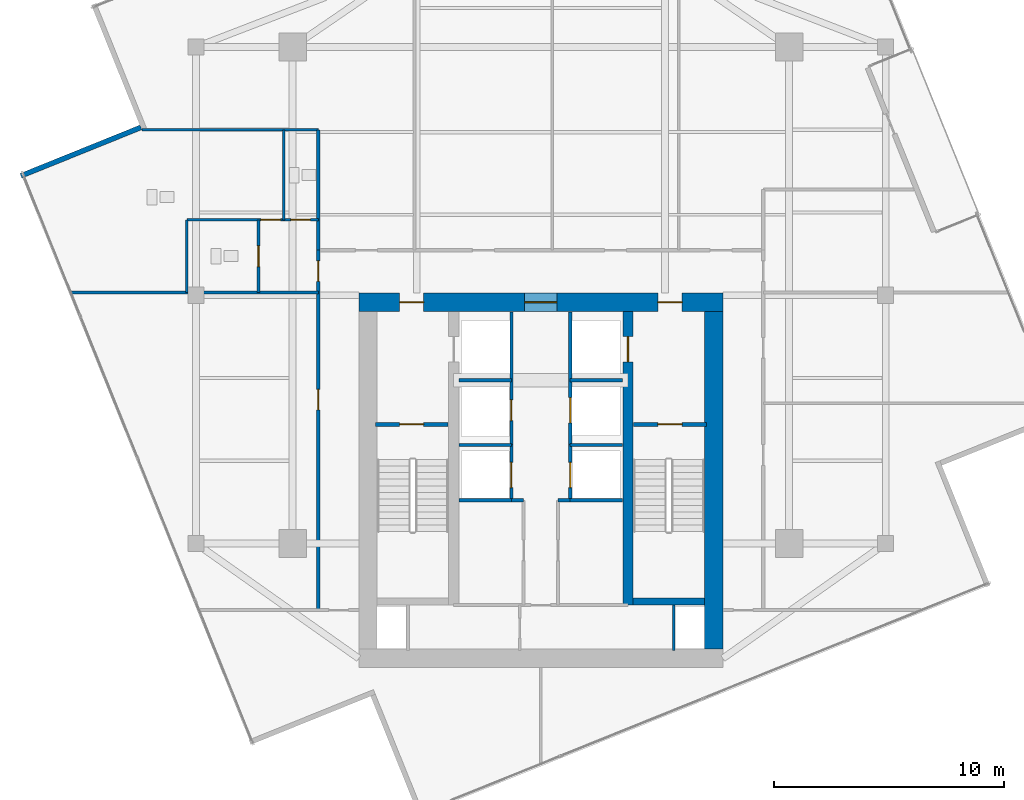
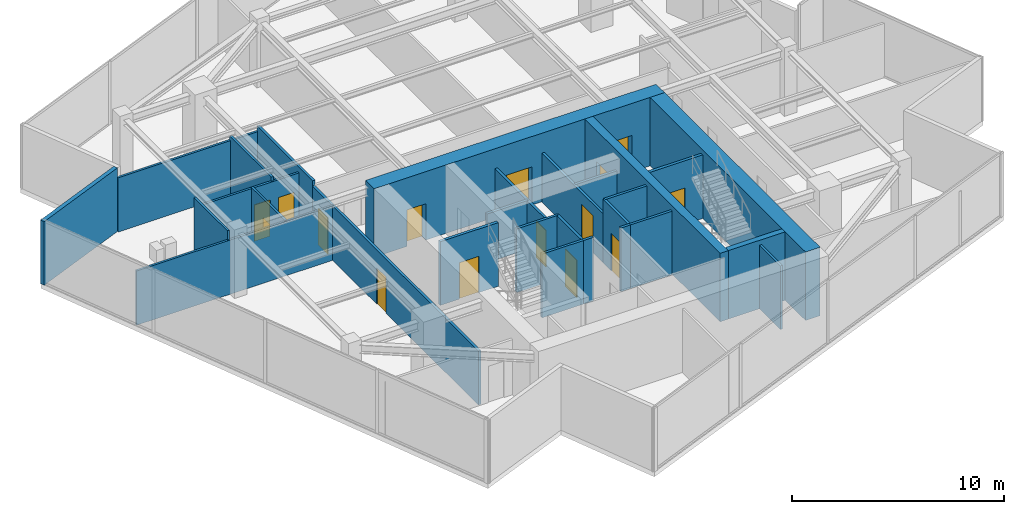
# One storey, part 18 of 21: 28 walls, 15 doors, 15 openings.
"""IFC4 building model written with IfcOpenShell, lengths in metres."""

from ifc_helpers import new_model, si_unit, direction, frame, frame_2d, origin, place, context, subcontext, project, spatial, rectangle, extrude, material, layer, layer_set, type_object, element, fill, save


model = new_model("IFC4")

# Units and contexts
model_context = context("Model", 3, precision=1e-05, world=origin(), true_north=direction((0.0, 1.0)))
body_context = subcontext(model_context, "Body", "Model", "MODEL_VIEW")
ifc_project = project(units=[si_unit("LENGTHUNIT", "METRE"), si_unit("AREAUNIT", "SQUARE_METRE"), si_unit("VOLUMEUNIT", "CUBIC_METRE"), si_unit("PLANEANGLEUNIT", "RADIAN"), si_unit("MASSUNIT", "GRAM", prefix="KILO")], contexts=[model_context])

# Site, building, storey
site_placement = place(None, origin())
site = spatial("IfcSite", under=ifc_project, at=site_placement, CompositionType="ELEMENT")
building_placement = place(site_placement, origin())
building = spatial("IfcBuilding", under=site, at=building_placement, Name="Krantzveldt Concourse Tower", CompositionType="ELEMENT")
storey_placement = place(building_placement, frame((0.0, 0.0, 323.75)))
storey = spatial("IfcBuildingStorey", under=building, at=storey_placement, Name="L79", CompositionType="ELEMENT", Elevation=323.75)

# Walls
ifc_material_1 = material(Name="Anodised aluminium 6063-T6", Category="aluminium")
ifc_layer_1 = layer(ifc_material_1, 0.219970703125, Name="Anodised aluminium 6063-T6", Category="aluminium")
ifc_layer_set_1 = layer_set([ifc_layer_1], Name="Anodised aluminium 6063-T6 (WL-EXT-NOTCH220)")
wall_type_1 = type_object("IfcWallType", Name="WL-EXT-NOTCH220", PredefinedType="ELEMENTEDWALL", material=ifc_layer_set_1)
wall_1_placement = place(storey_placement, frame((18.59716796875, 34.00244140625, 0.0), z_axis=(0.0, 0.0, 1.0), x_axis=(-0.927180963658, -0.374613748588, 0.0)))
element("IfcWall", 1, at=wall_1_placement, inside=storey, type_object=wall_type_1, Name="EW-L79-NCH03", PredefinedType="ELEMENTEDWALL", context=body_context, shape_type="SweptSolid", body=[
    extrude(rectangle(XDim=5.625, YDim=0.219970703125, at=frame_2d((2.8125, 0.0))), origin(), (0.0, 0.0, 1.0), 3.669921875),
])
ifc_material_2 = material(Name="Fire-rated gypsum plasterboard on steel stud", Category="steel")
ifc_layer_2 = layer(ifc_material_2, 0.1201171875, Name="Fire-rated gypsum plasterboard on steel stud", Category="steel")
ifc_layer_set_2 = layer_set([ifc_layer_2], Name="Fire-rated gypsum plasterboard on steel stud (WL-PART-120)")
wall_type_2 = type_object("IfcWallType", Name="WL-PART-120", PredefinedType="PARTITIONING", material=ifc_layer_set_2)
wall_2_placement = place(storey_placement, frame((15.556396484375, 26.820068359375, 0.0), z_axis=(0.0, 0.0, 1.0), x_axis=(1.0, 0.0, 0.0)))
element("IfcWall", 2, at=wall_2_placement, inside=storey, type_object=wall_type_2, Name="WP-L79-WCBS", PredefinedType="PARTITIONING", context=body_context, shape_type="SweptSolid", body=[
    extrude(rectangle(XDim=10.763671875, YDim=0.1201171875, at=frame_2d((5.3818359375, 0.0))), origin(), (0.0, 0.0, 1.0), 3.1298828125),
])
wall_3_placement = place(storey_placement, frame((18.638671875, 33.89990234375, 0.0), z_axis=(0.0, 0.0, 1.0), x_axis=(1.0, 0.0, 0.0)))
element("IfcWall", 3, at=wall_3_placement, inside=storey, type_object=wall_type_2, Name="WP-L79-WCBN", PredefinedType="PARTITIONING", context=body_context, shape_type="SweptSolid", body=[
    extrude(rectangle(XDim=7.681396484375, YDim=0.1201171875, at=frame_2d((3.8408203125, 0.0))), origin(), (0.0, 0.0, 1.0), 3.1298828125),
])

# Wall, openings, doors
wall_4_placement = place(storey_placement, frame((20.60009765625, 29.97998046875, 0.0), z_axis=(0.0, 0.0, 1.0), x_axis=(1.0, 0.0, 0.0)))
wall_4 = element("IfcWall", 4, at=wall_4_placement, inside=storey, type_object=wall_type_2, Name="WP-L79-WCMH", PredefinedType="PARTITIONING", context=body_context, shape_type="SweptSolid", body=[
    extrude(rectangle(XDim=5.719970703125, YDim=0.1201171875, at=frame_2d((2.85986328125, 0.0))), origin(), (0.0, 0.0, 1.0), 3.1298828125),
])
opening_1_placement = place(wall_4_placement, frame((3.22509765625, 0.0, 0.0)))
opening_1 = element("IfcOpeningElement", 5, at=opening_1_placement, cuts=wall_4, Name="Opening D-IN085", PredefinedType="OPENING", context=body_context, shape_type="SweptSolid", body=[
    extrude(rectangle(XDim=0.85009765625, YDim=2.10009765625, at=frame_2d((0.425048828125, 1.050048828125))), frame((0.0, 0.070068359375, 0.0), z_axis=(0.0, -1.0, 0.0), x_axis=(1.0, 0.0, 0.0)), (0.0, 0.0, 1.0), 0.14013671875),
])
opening_2_placement = place(wall_4_placement, frame((4.52490234375, 0.0, 0.0)))
opening_2 = element("IfcOpeningElement", 6, at=opening_2_placement, cuts=wall_4, Name="Opening D-IN085", PredefinedType="OPENING", context=body_context, shape_type="SweptSolid", body=[
    extrude(rectangle(XDim=0.85009765625, YDim=2.10009765625, at=frame_2d((0.425048828125, 1.050048828125))), frame((0.0, 0.070068359375, 0.0), z_axis=(0.0, -1.0, 0.0), x_axis=(1.0, 0.0, 0.0)), (0.0, 0.0, 1.0), 0.14013671875),
])
ifc_material_3 = material(Name="Hardwood timber", Category="wood")
door_type_1 = type_object("IfcDoorType", Name="DR-INT-850", OperationType="SINGLE_SWING_LEFT", PredefinedType="DOOR", material=ifc_material_3)
door_1_placement = place(opening_1_placement, origin())
door_1 = element("IfcDoor", 7, at=door_1_placement, inside=storey, type_object=door_type_1, Name="DR-L79-WCM", OperationType="SINGLE_SWING_LEFT", OverallHeight=2.10009765625, OverallWidth=0.85009765625, PredefinedType="DOOR", context=body_context, shape_type="SweptSolid", body=[
    extrude(rectangle(XDim=0.85009765625, YDim=2.10009765625, at=frame_2d((0.425048828125, 1.050048828125))), frame((0.0, 0.02490234375, 0.0), z_axis=(0.0, -1.0, 0.0), x_axis=(1.0, 0.0, 0.0)), (0.0, 0.0, 1.0), 0.050048828125),
])
fill(opening_1, door_1)
door_2_placement = place(opening_2_placement, origin())
door_2 = element("IfcDoor", 8, at=door_2_placement, inside=storey, type_object=door_type_1, Name="DR-L79-WCF", OperationType="SINGLE_SWING_RIGHT", OverallHeight=2.10009765625, OverallWidth=0.85009765625, PredefinedType="DOOR", context=body_context, shape_type="SweptSolid", body=[
    extrude(rectangle(XDim=0.85009765625, YDim=2.10009765625, at=frame_2d((0.425048828125, 1.050048828125))), frame((0.0, 0.02490234375, 0.0), z_axis=(0.0, -1.0, 0.0), x_axis=(1.0, 0.0, 0.0)), (0.0, 0.0, 1.0), 0.050048828125),
])
fill(opening_2, door_2)

# Wall
wall_5_placement = place(storey_placement, frame((20.60009765625, 26.820068359375, 0.0), z_axis=(0.0, 0.0, 1.0), x_axis=(0.0, 1.0, 0.0)))
element("IfcWall", 9, at=wall_5_placement, inside=storey, type_object=wall_type_2, Name="WP-L79-WCAL", PredefinedType="PARTITIONING", context=body_context, shape_type="SweptSolid", body=[
    extrude(rectangle(XDim=3.159912109375, YDim=0.1201171875, at=frame_2d((1.580078125, 0.0))), origin(), (0.0, 0.0, 1.0), 3.669921875),
])

# Wall, opening, door
wall_6_placement = place(storey_placement, frame((23.719970703125, 26.820068359375, 0.0), z_axis=(0.0, 0.0, 1.0), x_axis=(0.0, 1.0, 0.0)))
wall_6 = element("IfcWall", 10, at=wall_6_placement, inside=storey, type_object=wall_type_2, Name="WP-L79-WCAV", PredefinedType="PARTITIONING", context=body_context, shape_type="SweptSolid", body=[
    extrude(rectangle(XDim=3.159912109375, YDim=0.1201171875, at=frame_2d((1.580078125, 0.0))), origin(), (0.0, 0.0, 1.0), 3.179931640625),
])
opening_3_placement = place(wall_6_placement, frame((1.1298828125, 0.0, 0.0)))
opening_3 = element("IfcOpeningElement", 11, at=opening_3_placement, cuts=wall_6, Name="Opening D-IN090", PredefinedType="OPENING", context=body_context, shape_type="SweptSolid", body=[
    extrude(rectangle(XDim=0.89990234375, YDim=2.10009765625, at=frame_2d((0.449951171875, 1.050048828125))), frame((0.0, 0.070068359375, 0.0), z_axis=(0.0, -1.0, 0.0), x_axis=(1.0, 0.0, 0.0)), (0.0, 0.0, 1.0), 0.14013671875),
])
door_type_2 = type_object("IfcDoorType", Name="DR-INT-900", OperationType="SINGLE_SWING_LEFT", PredefinedType="DOOR", material=ifc_material_3)
door_3_placement = place(opening_3_placement, origin())
door_3 = element("IfcDoor", 12, at=door_3_placement, inside=storey, type_object=door_type_2, Name="DR-L79-WCA", OperationType="SINGLE_SWING_LEFT", OverallHeight=2.10009765625, OverallWidth=0.89990234375, PredefinedType="DOOR", context=body_context, shape_type="SweptSolid", body=[
    extrude(rectangle(XDim=0.89990234375, YDim=2.10009765625, at=frame_2d((0.449951171875, 1.050048828125))), frame((0.0, 0.02490234375, 0.0), z_axis=(0.0, -1.0, 0.0), x_axis=(1.0, 0.0, 0.0)), (0.0, 0.0, 1.0), 0.050048828125),
])
fill(opening_3, door_3)

# Wall
wall_7_placement = place(storey_placement, frame((24.820068359375, 29.97998046875, 0.0), z_axis=(0.0, 0.0, 1.0), x_axis=(0.0, 1.0, 0.0)))
element("IfcWall", 13, at=wall_7_placement, inside=storey, type_object=wall_type_2, Name="WP-L79-WCFD", PredefinedType="PARTITIONING", context=body_context, shape_type="SweptSolid", body=[
    extrude(rectangle(XDim=3.919921875, YDim=0.1201171875, at=frame_2d((1.9599609375, 0.0))), origin(), (0.0, 0.0, 1.0), 3.3701171875),
])

# Wall, openings, doors
ifc_layer_3 = layer(ifc_material_2, 0.139892578125, Name="Fire-rated gypsum plasterboard on steel stud", Category="steel")
ifc_layer_set_3 = layer_set([ifc_layer_3], Name="Fire-rated gypsum plasterboard on steel stud (WL-PART-140)")
wall_type_3 = type_object("IfcWallType", Name="WL-PART-140", PredefinedType="PARTITIONING", material=ifc_layer_set_3)
wall_8_placement = place(storey_placement, frame((26.320068359375, 13.0, 0.0), z_axis=(0.0, 0.0, 1.0), x_axis=(0.0, 1.0, 0.0)))
wall_8 = element("IfcWall", 14, at=wall_8_placement, inside=storey, type_object=wall_type_3, Name="WP-L79-CWEST", PredefinedType="PARTITIONING", context=body_context, shape_type="SweptSolid", body=[
    extrude(rectangle(XDim=15.659912109375, YDim=0.139892578125, at=frame_2d((7.830078125, 0.0))), origin(), (0.0, 0.0, 1.0), 3.1298828125),
])
opening_4_placement = place(wall_8_placement, frame((14.300048828125, 0.0, 0.0)))
opening_4 = element("IfcOpeningElement", 15, at=opening_4_placement, cuts=wall_8, Name="Opening D-IN090", PredefinedType="OPENING", context=body_context, shape_type="SweptSolid", body=[
    extrude(rectangle(XDim=0.89990234375, YDim=2.10009765625, at=frame_2d((0.449951171875, 1.050048828125))), frame((0.0, 0.080078125, 0.0), z_axis=(0.0, -1.0, 0.0), x_axis=(1.0, 0.0, 0.0)), (0.0, 0.0, 1.0), 0.159912109375),
])
opening_5_placement = place(wall_8_placement, frame((8.7099609375, 0.0, 0.0)))
opening_5 = element("IfcOpeningElement", 16, at=opening_5_placement, cuts=wall_8, Name="Opening D-IN090", PredefinedType="OPENING", context=body_context, shape_type="SweptSolid", body=[
    extrude(rectangle(XDim=0.89990234375, YDim=2.10009765625, at=frame_2d((0.449951171875, 1.050048828125))), frame((0.0, 0.080078125, 0.0), z_axis=(0.0, -1.0, 0.0), x_axis=(1.0, 0.0, 0.0)), (0.0, 0.0, 1.0), 0.159912109375),
])
door_4_placement = place(opening_4_placement, origin())
door_4 = element("IfcDoor", 17, at=door_4_placement, inside=storey, type_object=door_type_2, Name="DR-L79-WCV", OperationType="SINGLE_SWING_LEFT", OverallHeight=2.10009765625, OverallWidth=0.89990234375, PredefinedType="DOOR", context=body_context, shape_type="SweptSolid", body=[
    extrude(rectangle(XDim=0.89990234375, YDim=2.10009765625, at=frame_2d((0.449951171875, 1.050048828125))), frame((0.0, 0.02490234375, 0.0), z_axis=(0.0, -1.0, 0.0), x_axis=(1.0, 0.0, 0.0)), (0.0, 0.0, 1.0), 0.050048828125),
])
fill(opening_4, door_4)
door_5_placement = place(opening_5_placement, origin())
door_5 = element("IfcDoor", 18, at=door_5_placement, inside=storey, type_object=door_type_2, Name="DR-L79-WR1", OperationType="SINGLE_SWING_LEFT", OverallHeight=2.10009765625, OverallWidth=0.89990234375, PredefinedType="DOOR", context=body_context, shape_type="SweptSolid", body=[
    extrude(rectangle(XDim=0.89990234375, YDim=2.10009765625, at=frame_2d((0.449951171875, 1.050048828125))), frame((0.0, 0.02490234375, 0.0), z_axis=(0.0, -1.0, 0.0), x_axis=(1.0, 0.0, 0.0)), (0.0, 0.0, 1.0), 0.050048828125),
])
fill(opening_5, door_5)

# Wall
wall_9_placement = place(storey_placement, frame((26.320068359375, 28.659912109375, 0.0), z_axis=(0.0, 0.0, 1.0), x_axis=(0.0, 1.0, 0.0)))
element("IfcWall", 19, at=wall_9_placement, inside=storey, type_object=wall_type_3, Name="WP-L79-NWL", PredefinedType="PARTITIONING", context=body_context, shape_type="SweptSolid", body=[
    extrude(rectangle(XDim=5.239990234375, YDim=0.139892578125, at=frame_2d((2.6201171875, 0.0))), origin(), (0.0, 0.0, 1.0), 3.429931640625),
])

# Wall, opening, door
ifc_layer_4 = layer(ifc_material_2, 0.139892578125, Name="Fire-rated gypsum plasterboard on steel stud", Category="steel")
ifc_layer_set_4 = layer_set([ifc_layer_4], Name="Fire-rated gypsum plasterboard on steel stud (WL-PART-FR140)")
wall_type_4 = type_object("IfcWallType", Name="WL-PART-FR140", PredefinedType="PARTITIONING", material=ifc_layer_set_4)
wall_10_placement = place(storey_placement, frame((34.719970703125, 20.199951171875, 0.0), z_axis=(0.0, 0.0, 1.0), x_axis=(0.0, 1.0, 0.0)))
wall_10 = element("IfcWall", 20, at=wall_10_placement, inside=storey, type_object=wall_type_4, Name="WP-L79-SHNW", PredefinedType="PARTITIONING", context=body_context, shape_type="SweptSolid", body=[
    extrude(rectangle(XDim=5.780029296875, YDim=0.139892578125, at=frame_2d((2.89013671875, 0.0))), origin(), (0.0, 0.0, 1.0), 2.820068359375),
])
opening_6_placement = place(wall_10_placement, frame((1.050048828125, 0.0, 0.0)))
opening_6 = element("IfcOpeningElement", 21, at=opening_6_placement, cuts=wall_10, Name="Opening D-FD090", PredefinedType="OPENING", context=body_context, shape_type="SweptSolid", body=[
    extrude(rectangle(XDim=0.89990234375, YDim=2.10009765625, at=frame_2d((0.449951171875, 1.050048828125))), frame((0.0, 0.080078125, 0.0), z_axis=(0.0, -1.0, 0.0), x_axis=(1.0, 0.0, 0.0)), (0.0, 0.0, 1.0), 0.159912109375),
])
door_type_3 = type_object("IfcDoorType", Name="DR-FD60-900", OperationType="SINGLE_SWING_LEFT", PredefinedType="DOOR", material=ifc_material_3)
door_6_placement = place(opening_6_placement, origin())
door_6 = element("IfcDoor", 22, at=door_6_placement, inside=storey, type_object=door_type_3, Name="Electrical Riser Access Door L79", OperationType="SINGLE_SWING_LEFT", OverallHeight=2.10009765625, OverallWidth=0.89990234375, PredefinedType="DOOR", context=body_context, shape_type="SweptSolid", body=[
    extrude(rectangle(XDim=0.89990234375, YDim=2.10009765625, at=frame_2d((0.449951171875, 1.050048828125))), frame((0.0, 0.02490234375, 0.0), z_axis=(0.0, -1.0, 0.0), x_axis=(1.0, 0.0, 0.0)), (0.0, 0.0, 1.0), 0.050048828125),
])
fill(opening_6, door_6)

wall_11_placement = place(storey_placement, frame((37.280029296875, 20.199951171875, 0.0), z_axis=(0.0, 0.0, 1.0), x_axis=(0.0, 1.0, 0.0)))
wall_11 = element("IfcWall", 23, at=wall_11_placement, inside=storey, type_object=wall_type_4, Name="WP-L79-SHNE", PredefinedType="PARTITIONING", context=body_context, shape_type="SweptSolid", body=[
    extrude(rectangle(XDim=5.780029296875, YDim=0.139892578125, at=frame_2d((2.89013671875, 0.0))), origin(), (0.0, 0.0, 1.0), 2.820068359375),
])
opening_7_placement = place(wall_11_placement, frame((0.949951171875, 0.0, 0.0)))
opening_7 = element("IfcOpeningElement", 24, at=opening_7_placement, cuts=wall_11, Name="Opening LD", PredefinedType="OPENING", context=body_context, shape_type="SweptSolid", body=[
    extrude(rectangle(XDim=1.10009765625, YDim=2.14990234375, at=frame_2d((0.550048828125, 1.074951171875))), frame((0.0, 0.080078125, 0.0), z_axis=(0.0, -1.0, 0.0), x_axis=(1.0, 0.0, 0.0)), (0.0, 0.0, 1.0), 0.159912109375),
])
ifc_material_4 = material(Name="Stainless steel 316L", Category="steel")
door_type_4 = type_object("IfcDoorType", Name="DR-SLIDE-LD1100", OperationType="DOUBLE_DOOR_SLIDING", PredefinedType="DOOR", material=ifc_material_4)
door_7_placement = place(opening_7_placement, origin())
door_7 = element("IfcDoor", 25, at=door_7_placement, inside=storey, type_object=door_type_4, Name="LD-L79-GL1", OperationType="DOUBLE_DOOR_SLIDING", OverallHeight=2.14990234375, OverallWidth=1.10009765625, PredefinedType="DOOR", context=body_context, shape_type="SweptSolid", body=[
    extrude(rectangle(XDim=1.10009765625, YDim=2.14990234375, at=frame_2d((0.550048828125, 1.074951171875))), frame((0.0, 0.02490234375, 0.0), z_axis=(0.0, -1.0, 0.0), x_axis=(1.0, 0.0, 0.0)), (0.0, 0.0, 1.0), 0.050048828125),
])
fill(opening_7, door_7)

# Walls
for number, where, z_axis, x_axis, name in (
    (26, (32.449951171875, 23.0, 0.0), (0.0, 0.0, 1.0), (1.0, 0.0, 0.0), "WP-L79-RISH"),
    (27, (37.280029296875, 23.0, 0.0), (0.0, 0.0, 1.0), (1.0, 0.0, 0.0), "WP-L79-GLH"),
):
    element("IfcWall", number, at=place(storey_placement, frame(where, z_axis=z_axis, x_axis=x_axis)), inside=storey, type_object=wall_type_4, Name=name, PredefinedType="PARTITIONING", context=body_context, shape_type="SweptSolid", body=[
        extrude(rectangle(XDim=2.27001953125, YDim=0.139892578125, at=frame_2d((1.135009765625, 0.0))), origin(), (0.0, 0.0, 1.0), 2.820068359375),
    ])

# Wall, opening, door
wall_12_placement = place(storey_placement, frame((34.719970703125, 17.780029296875, 0.0), z_axis=(0.0, 0.0, 1.0), x_axis=(0.0, 1.0, 0.0)))
wall_12 = element("IfcWall", 28, at=wall_12_placement, inside=storey, type_object=wall_type_4, Name="WP-L79-SHNW2", PredefinedType="PARTITIONING", context=body_context, shape_type="SweptSolid", body=[
    extrude(rectangle(XDim=2.419921875, YDim=0.139892578125, at=frame_2d((1.2099609375, 0.0))), origin(), (0.0, 0.0, 1.0), 3.669921875),
])
opening_8_placement = place(wall_12_placement, frame((0.550048828125, 0.0, 0.0)))
opening_8 = element("IfcOpeningElement", 29, at=opening_8_placement, cuts=wall_12, Name="Opening LD", PredefinedType="OPENING", context=body_context, shape_type="SweptSolid", body=[
    extrude(rectangle(XDim=1.10009765625, YDim=2.14990234375, at=frame_2d((0.550048828125, 1.074951171875))), frame((0.0, 0.080078125, 0.0), z_axis=(0.0, -1.0, 0.0), x_axis=(1.0, 0.0, 0.0)), (0.0, 0.0, 1.0), 0.159912109375),
])
door_8_placement = place(opening_8_placement, origin())
door_8 = element("IfcDoor", 30, at=door_8_placement, inside=storey, type_object=door_type_4, Name="LD-L79-PH1", OperationType="DOUBLE_DOOR_SLIDING", OverallHeight=2.14990234375, OverallWidth=1.10009765625, PredefinedType="DOOR", context=body_context, shape_type="SweptSolid", body=[
    extrude(rectangle(XDim=1.10009765625, YDim=2.14990234375, at=frame_2d((0.550048828125, 1.074951171875))), frame((0.0, 0.02490234375, 0.0), z_axis=(0.0, -1.0, 0.0), x_axis=(1.0, 0.0, 0.0)), (0.0, 0.0, 1.0), 0.050048828125),
])
fill(opening_8, door_8)

wall_13_placement = place(storey_placement, frame((37.280029296875, 17.780029296875, 0.0), z_axis=(0.0, 0.0, 1.0), x_axis=(0.0, 1.0, 0.0)))
wall_13 = element("IfcWall", 31, at=wall_13_placement, inside=storey, type_object=wall_type_4, Name="WP-L79-SHNE2", PredefinedType="PARTITIONING", context=body_context, shape_type="SweptSolid", body=[
    extrude(rectangle(XDim=2.419921875, YDim=0.139892578125, at=frame_2d((1.2099609375, 0.0))), origin(), (0.0, 0.0, 1.0), 3.669921875),
])
opening_9_placement = place(wall_13_placement, frame((0.550048828125, 0.0, 0.0)))
opening_9 = element("IfcOpeningElement", 32, at=opening_9_placement, cuts=wall_13, Name="Opening LD", PredefinedType="OPENING", context=body_context, shape_type="SweptSolid", body=[
    extrude(rectangle(XDim=1.10009765625, YDim=2.14990234375, at=frame_2d((0.550048828125, 1.074951171875))), frame((0.0, 0.080078125, 0.0), z_axis=(0.0, -1.0, 0.0), x_axis=(1.0, 0.0, 0.0)), (0.0, 0.0, 1.0), 0.159912109375),
])
door_9_placement = place(opening_9_placement, origin())
door_9 = element("IfcDoor", 33, at=door_9_placement, inside=storey, type_object=door_type_4, Name="LD-L79-PH2", OperationType="DOUBLE_DOOR_SLIDING", OverallHeight=2.14990234375, OverallWidth=1.10009765625, PredefinedType="DOOR", context=body_context, shape_type="SweptSolid", body=[
    extrude(rectangle(XDim=1.10009765625, YDim=2.14990234375, at=frame_2d((0.550048828125, 1.074951171875))), frame((0.0, 0.02490234375, 0.0), z_axis=(0.0, -1.0, 0.0), x_axis=(1.0, 0.0, 0.0)), (0.0, 0.0, 1.0), 0.050048828125),
])
fill(opening_9, door_9)

# Walls
for number, where, z_axis, x_axis, name in (
    (34, (32.449951171875, 17.780029296875, 0.0), (0.0, 0.0, 1.0), (1.0, 0.0, 0.0), "WP-L79-DIVW2"),
    (35, (32.449951171875, 20.179931640625, 0.0), (0.0, 0.0, 1.0), (1.0, 0.0, 0.0), "WP-L79-DIVW3"),
    (36, (37.280029296875, 17.780029296875, 0.0), (0.0, 0.0, 1.0), (1.0, 0.0, 0.0), "WP-L79-DIVE2"),
    (37, (37.280029296875, 20.179931640625, 0.0), (0.0, 0.0, 1.0), (1.0, 0.0, 0.0), "WP-L79-DIVE3"),
):
    element("IfcWall", number, at=place(storey_placement, frame(where, z_axis=z_axis, x_axis=x_axis)), inside=storey, type_object=wall_type_4, Name=name, PredefinedType="PARTITIONING", context=body_context, shape_type="SweptSolid", body=[
        extrude(rectangle(XDim=2.27001953125, YDim=0.139892578125, at=frame_2d((1.135009765625, 0.0))), origin(), (0.0, 0.0, 1.0), 3.669921875),
    ])
for number, where, z_axis, x_axis, name in (
    (38, (34.719970703125, 17.780029296875, 0.0), (0.0, 0.0, 1.0), (1.0, 0.0, 0.0), "WP-L79-RECWN"),
    (39, (36.75, 17.780029296875, 0.0), (0.0, 0.0, 1.0), (1.0, 0.0, 0.0), "WP-L79-RECEN"),
):
    element("IfcWall", number, at=place(storey_placement, frame(where, z_axis=z_axis, x_axis=x_axis)), inside=storey, type_object=wall_type_4, Name=name, PredefinedType="PARTITIONING", context=body_context, shape_type="SweptSolid", body=[
        extrude(rectangle(XDim=0.530029296875, YDim=0.139892578125, at=frame_2d((0.26513671875, 0.0))), origin(), (0.0, 0.0, 1.0), 3.669921875),
    ])
wall_14_placement = place(storey_placement, frame((41.780029296875, 11.25, 0.0), z_axis=(0.0, 0.0, 1.0), x_axis=(0.0, 1.0, 0.0)))
element("IfcWall", 40, at=wall_14_placement, inside=storey, type_object=wall_type_4, Name="WP-L79-RSE", PredefinedType="PARTITIONING", context=body_context, shape_type="SweptSolid", body=[
    extrude(rectangle(XDim=1.969970703125, YDim=0.1201171875, at=frame_2d((0.98486328125, 0.0))), origin(), (0.0, 0.0, 1.0), 3.669921875),
])

# Wall, opening, door
ifc_layer_5 = layer(ifc_material_2, 0.159912109375, Name="Fire-rated gypsum plasterboard on steel stud", Category="steel")
ifc_layer_set_5 = layer_set([ifc_layer_5], Name="Fire-rated gypsum plasterboard on steel stud (WL-PART-FR160)")
wall_type_5 = type_object("IfcWallType", Name="WL-PART-FR160", PredefinedType="PARTITIONING", material=ifc_layer_set_5)
wall_15_placement = place(storey_placement, frame((28.800048828125, 21.080078125, 0.0), z_axis=(0.0, 0.0, 1.0), x_axis=(1.0, 0.0, 0.0)))
wall_15 = element("IfcWall", 41, at=wall_15_placement, inside=storey, type_object=wall_type_5, Name="WP-L79-ST1", PredefinedType="PARTITIONING", context=body_context, shape_type="SweptSolid", body=[
    extrude(rectangle(XDim=3.159912109375, YDim=0.159912109375, at=frame_2d((1.580078125, 0.0))), origin(), (0.0, 0.0, 1.0), 3.669921875),
])
opening_10_placement = place(wall_15_placement, frame((1.054931640625, 0.0, 0.0)))
opening_10 = element("IfcOpeningElement", 42, at=opening_10_placement, cuts=wall_15, Name="Opening D-FD105", PredefinedType="OPENING", context=body_context, shape_type="SweptSolid", body=[
    extrude(rectangle(XDim=1.050048828125, YDim=2.10009765625, at=frame_2d((0.52490234375, 1.050048828125))), frame((0.0, 0.08984375, 0.0), z_axis=(0.0, -1.0, 0.0), x_axis=(1.0, 0.0, 0.0)), (0.0, 0.0, 1.0), 0.179931640625),
])
ifc_material_5 = material(Name="Galvanised steel", Category="steel")
door_type_5 = type_object("IfcDoorType", Name="DR-FD120-1050", OperationType="SINGLE_SWING_LEFT", PredefinedType="DOOR", material=ifc_material_5)
door_10_placement = place(opening_10_placement, origin())
door_10 = element("IfcDoor", 43, at=door_10_placement, inside=storey, type_object=door_type_5, Name="DR-L79-ST1", OperationType="SINGLE_SWING_RIGHT", OverallHeight=2.10009765625, OverallWidth=1.050048828125, PredefinedType="DOOR", context=body_context, shape_type="SweptSolid", body=[
    extrude(rectangle(XDim=1.050048828125, YDim=2.10009765625, at=frame_2d((0.52490234375, 1.050048828125))), frame((0.0, 0.02490234375, 0.0), z_axis=(0.0, -1.0, 0.0), x_axis=(1.0, 0.0, 0.0)), (0.0, 0.0, 1.0), 0.050048828125),
])
fill(opening_10, door_10)

wall_16_placement = place(storey_placement, frame((40.0400390625, 21.080078125, 0.0), z_axis=(0.0, 0.0, 1.0), x_axis=(1.0, 0.0, 0.0)))
wall_16 = element("IfcWall", 44, at=wall_16_placement, inside=storey, type_object=wall_type_5, Name="WP-L79-ST2", PredefinedType="PARTITIONING", context=body_context, shape_type="SweptSolid", body=[
    extrude(rectangle(XDim=3.159912109375, YDim=0.159912109375, at=frame_2d((1.580078125, 0.0))), origin(), (0.0, 0.0, 1.0), 3.669921875),
])
opening_11_placement = place(wall_16_placement, frame((1.054931640625, 0.0, 0.0)))
opening_11 = element("IfcOpeningElement", 45, at=opening_11_placement, cuts=wall_16, Name="Opening D-FD105", PredefinedType="OPENING", context=body_context, shape_type="SweptSolid", body=[
    extrude(rectangle(XDim=1.050048828125, YDim=2.10009765625, at=frame_2d((0.52490234375, 1.050048828125))), frame((0.0, 0.08984375, 0.0), z_axis=(0.0, -1.0, 0.0), x_axis=(1.0, 0.0, 0.0)), (0.0, 0.0, 1.0), 0.179931640625),
])
door_11_placement = place(opening_11_placement, origin())
door_11 = element("IfcDoor", 46, at=door_11_placement, inside=storey, type_object=door_type_5, Name="DR-L79-ST2", OperationType="SINGLE_SWING_LEFT", OverallHeight=2.10009765625, OverallWidth=1.050048828125, PredefinedType="DOOR", context=body_context, shape_type="SweptSolid", body=[
    extrude(rectangle(XDim=1.050048828125, YDim=2.10009765625, at=frame_2d((0.52490234375, 1.050048828125))), frame((0.0, 0.02490234375, 0.0), z_axis=(0.0, -1.0, 0.0), x_axis=(1.0, 0.0, 0.0)), (0.0, 0.0, 1.0), 0.050048828125),
])
fill(opening_11, door_11)

# Wall
ifc_material_6 = material(Name="Concrete C50/60", Category="concrete")
ifc_layer_6 = layer(ifc_material_6, 0.300048828125, Name="Concrete C50/60", Category="concrete")
ifc_layer_set_6 = layer_set([ifc_layer_6], Name="Concrete C50/60 (WL-SHEAR-300)")
wall_type_6 = type_object("IfcWallType", Name="WL-SHEAR-300", PredefinedType="SHEAR", material=ifc_layer_set_6)
wall_17_placement = place(storey_placement, frame((40.02001953125, 13.3701171875, 0.0), z_axis=(0.0, 0.0, 1.0), x_axis=(1.0, 0.0, 0.0)))
element("IfcWall", 47, at=wall_17_placement, inside=storey, type_object=wall_type_6, Name="CW-L79-ST2S", PredefinedType="SHEAR", context=body_context, shape_type="SweptSolid", body=[
    extrude(rectangle(XDim=3.10009765625, YDim=0.300048828125, at=frame_2d((1.550048828125, 0.0))), origin(), (0.0, 0.0, 1.0), 3.949951171875),
])

# Wall, opening, door
ifc_layer_7 = layer(ifc_material_6, 0.449951171875, Name="Concrete C50/60", Category="concrete")
ifc_layer_set_7 = layer_set([ifc_layer_7], Name="Concrete C50/60 (WL-SHEAR-450)")
wall_type_7 = type_object("IfcWallType", Name="WL-SHEAR-450", PredefinedType="SHEAR", material=ifc_layer_set_7)
wall_18_placement = place(storey_placement, frame((39.794921875, 13.219970703125, 0.0), z_axis=(0.0, 0.0, 1.0), x_axis=(0.0, 1.0, 0.0)))
wall_18 = element("IfcWall", 48, at=wall_18_placement, inside=storey, type_object=wall_type_7, Name="CW-L79-IE", PredefinedType="SHEAR", context=body_context, shape_type="SweptSolid", body=[
    extrude(rectangle(XDim=12.780029296875, YDim=0.449951171875, at=frame_2d((6.39013671875, 0.0))), origin(), (0.0, 0.0, 1.0), 3.949951171875),
])
opening_12_placement = place(wall_18_placement, frame((10.580078125, 0.0, 0.0)))
opening_12 = element("IfcOpeningElement", 49, at=opening_12_placement, cuts=wall_18, Name="Opening LD", PredefinedType="OPENING", context=body_context, shape_type="SweptSolid", body=[
    extrude(rectangle(XDim=1.10009765625, YDim=2.14990234375, at=frame_2d((0.550048828125, 1.074951171875))), frame((0.0, 0.23486328125, 0.0), z_axis=(0.0, -1.0, 0.0), x_axis=(1.0, 0.0, 0.0)), (0.0, 0.0, 1.0), 0.469970703125),
])
door_12_placement = place(opening_12_placement, origin())
door_12 = element("IfcDoor", 50, at=door_12_placement, inside=storey, type_object=door_type_4, Name="LD-L79-FL2", OperationType="DOUBLE_DOOR_SLIDING", OverallHeight=2.14990234375, OverallWidth=1.10009765625, PredefinedType="DOOR", context=body_context, shape_type="SweptSolid", body=[
    extrude(rectangle(XDim=1.10009765625, YDim=2.14990234375, at=frame_2d((0.550048828125, 1.074951171875))), frame((0.0, 0.02490234375, 0.0), z_axis=(0.0, -1.0, 0.0), x_axis=(1.0, 0.0, 0.0)), (0.0, 0.0, 1.0), 0.050048828125),
])
fill(opening_12, door_12)

# Wall, openings, doors
ifc_material_7 = material(Name="Concrete C60/75", Category="concrete")
ifc_layer_8 = layer(ifc_material_7, 0.800048828125, Name="Concrete C60/75", Category="concrete")
ifc_layer_set_8 = layer_set([ifc_layer_8], Name="Concrete C60/75 (WL-SHEAR-800)")
wall_type_8 = type_object("IfcWallType", Name="WL-SHEAR-800", PredefinedType="SHEAR", material=ifc_layer_set_8)
wall_19_placement = place(storey_placement, frame((28.080078125, 26.39990234375, 0.0), z_axis=(0.0, 0.0, 1.0), x_axis=(1.0, 0.0, 0.0)))
wall_19 = element("IfcWall", 51, at=wall_19_placement, inside=storey, type_object=wall_type_8, Name="CW-L79-N", PredefinedType="SHEAR", context=body_context, shape_type="SweptSolid", body=[
    extrude(rectangle(XDim=15.83984375, YDim=0.800048828125, at=frame_2d((7.919921875, 0.0))), origin(), (0.0, 0.0, 1.0), 3.949951171875),
])
opening_13_placement = place(wall_19_placement, frame((7.219970703125, 0.0, 0.0)))
opening_13 = element("IfcOpeningElement", 52, at=opening_13_placement, cuts=wall_19, Name="Opening D-DB140", PredefinedType="OPENING", context=body_context, shape_type="SweptSolid", body=[
    extrude(rectangle(XDim=1.39990234375, YDim=2.199951171875, at=frame_2d((0.699951171875, 1.10009765625))), frame((0.0, 0.41015625, 0.0), z_axis=(0.0, -1.0, 0.0), x_axis=(1.0, 0.0, 0.0)), (0.0, 0.0, 1.0), 0.820068359375),
])
opening_14_placement = place(wall_19_placement, frame((1.77490234375, 0.0, 0.0)))
opening_14 = element("IfcOpeningElement", 53, at=opening_14_placement, cuts=wall_19, Name="Opening D-FD105", PredefinedType="OPENING", context=body_context, shape_type="SweptSolid", body=[
    extrude(rectangle(XDim=1.050048828125, YDim=2.10009765625, at=frame_2d((0.52490234375, 1.050048828125))), frame((0.0, 0.41015625, 0.0), z_axis=(0.0, -1.0, 0.0), x_axis=(1.0, 0.0, 0.0)), (0.0, 0.0, 1.0), 0.820068359375),
])
opening_15_placement = place(wall_19_placement, frame((13.014892578125, 0.0, 0.0)))
opening_15 = element("IfcOpeningElement", 54, at=opening_15_placement, cuts=wall_19, Name="Opening D-FD105", PredefinedType="OPENING", context=body_context, shape_type="SweptSolid", body=[
    extrude(rectangle(XDim=1.050048828125, YDim=2.10009765625, at=frame_2d((0.52490234375, 1.050048828125))), frame((0.0, 0.41015625, 0.0), z_axis=(0.0, -1.0, 0.0), x_axis=(1.0, 0.0, 0.0)), (0.0, 0.0, 1.0), 0.820068359375),
])
door_type_6 = type_object("IfcDoorType", Name="DR-DBL-1400", OperationType="DOUBLE_DOOR_SINGLE_SWING", PredefinedType="DOOR", material=ifc_material_1)
door_13_placement = place(opening_13_placement, origin())
door_13 = element("IfcDoor", 55, at=door_13_placement, inside=storey, type_object=door_type_6, Name="DR-L79-LLB", OperationType="DOUBLE_DOOR_SINGLE_SWING", OverallHeight=2.199951171875, OverallWidth=1.39990234375, PredefinedType="DOOR", context=body_context, shape_type="SweptSolid", body=[
    extrude(rectangle(XDim=1.39990234375, YDim=2.199951171875, at=frame_2d((0.699951171875, 1.10009765625))), frame((0.0, 0.02490234375, 0.0), z_axis=(0.0, -1.0, 0.0), x_axis=(1.0, 0.0, 0.0)), (0.0, 0.0, 1.0), 0.050048828125),
])
fill(opening_13, door_13)
door_14_placement = place(opening_14_placement, origin())
door_14 = element("IfcDoor", 56, at=door_14_placement, inside=storey, type_object=door_type_5, Name="DR-L79-FFL1", OperationType="SINGLE_SWING_LEFT", OverallHeight=2.10009765625, OverallWidth=1.050048828125, PredefinedType="DOOR", context=body_context, shape_type="SweptSolid", body=[
    extrude(rectangle(XDim=1.050048828125, YDim=2.10009765625, at=frame_2d((0.52490234375, 1.050048828125))), frame((0.0, 0.02490234375, 0.0), z_axis=(0.0, -1.0, 0.0), x_axis=(1.0, 0.0, 0.0)), (0.0, 0.0, 1.0), 0.050048828125),
])
fill(opening_14, door_14)
door_15_placement = place(opening_15_placement, origin())
door_15 = element("IfcDoor", 57, at=door_15_placement, inside=storey, type_object=door_type_5, Name="DR-L79-FFL2", OperationType="SINGLE_SWING_RIGHT", OverallHeight=2.10009765625, OverallWidth=1.050048828125, PredefinedType="DOOR", context=body_context, shape_type="SweptSolid", body=[
    extrude(rectangle(XDim=1.050048828125, YDim=2.10009765625, at=frame_2d((0.52490234375, 1.050048828125))), frame((0.0, 0.02490234375, 0.0), z_axis=(0.0, -1.0, 0.0), x_axis=(1.0, 0.0, 0.0)), (0.0, 0.0, 1.0), 0.050048828125),
])
fill(opening_15, door_15)

# Wall
wall_20_placement = place(storey_placement, frame((43.52001953125, 11.300048828125, 0.0), z_axis=(0.0, 0.0, 1.0), x_axis=(0.0, 1.0, 0.0)))
element("IfcWall", 58, at=wall_20_placement, inside=storey, type_object=wall_type_8, Name="CW-L79-E", PredefinedType="SHEAR", context=body_context, shape_type="SweptSolid", body=[
    extrude(rectangle(XDim=14.699951171875, YDim=0.800048828125, at=frame_2d((7.35009765625, 0.0))), origin(), (0.0, 0.0, 1.0), 3.949951171875),
])

save(model, "model.ifc")
